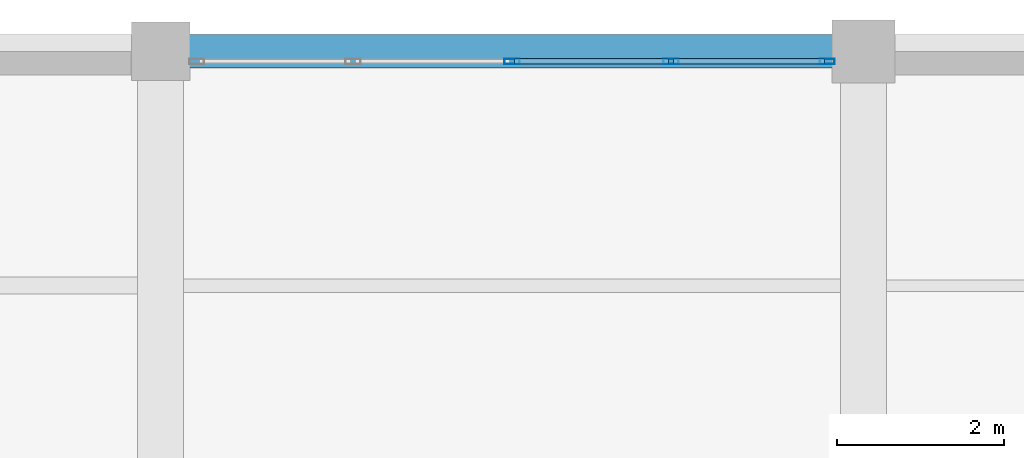
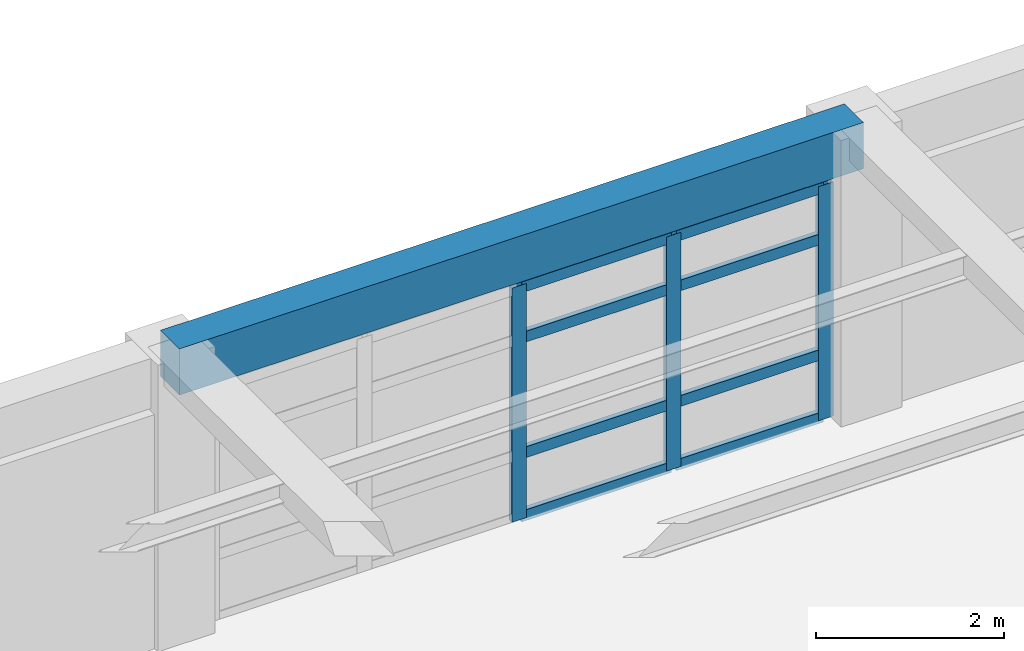
# One storey, part 22 of 31: 11 members, 1 beam, 1 element without a shape of its own.
"""IFC4 building model written with IfcOpenShell, lengths in metres."""

from ifc_helpers import new_model, si_unit, direction, frame, origin, origin_2d, place, context, subcontext, project, spatial, rectangle, hollow_rectangle, extrude, material, material_profile, profile_set, type_object, element, aggregate, save


model = new_model("IFC4")

# Units and contexts
model_context = context("Model", 3, precision=1e-05, world=origin(), true_north=direction((0.0, 1.0)))
body_context = subcontext(model_context, "Body", "Model", "MODEL_VIEW")
ifc_project = project(units=[si_unit("LENGTHUNIT", "METRE"), si_unit("AREAUNIT", "SQUARE_METRE"), si_unit("VOLUMEUNIT", "CUBIC_METRE"), si_unit("PLANEANGLEUNIT", "RADIAN"), si_unit("MASSUNIT", "GRAM", prefix="KILO")], contexts=[model_context])

# Site, building, storey
site_placement = place(None, origin())
site = spatial("IfcSite", under=ifc_project, at=site_placement, CompositionType="ELEMENT")
building_placement = place(site_placement, origin())
building = spatial("IfcBuilding", under=site, at=building_placement, Name="Almacenes y Pasaje Nevantli", CompositionType="ELEMENT")
storey_placement = place(building_placement, frame((0.0, 0.0, 34.699951171875)))
storey = spatial("IfcBuildingStorey", under=building, at=storey_placement, Name="L08", CompositionType="ELEMENT", Elevation=34.699951171875)

# Beam
ifc_material_1 = material(Name="Concrete C35/45", Category="concrete")
ifc_material_profile_1 = material_profile(ifc_material_1, rectangle(XDim=0.39990234375, YDim=0.60009765625, at=origin_2d()), Name="RC-BM-400x600")
ifc_profile_set_1 = profile_set([ifc_material_profile_1], Name="Concrete C35/45")
beam_type = type_object("IfcBeamType", Name="BM-RC-400x600", PredefinedType="SPANDREL", material=ifc_profile_set_1)
beam_placement = place(storey_placement, frame((126.0, 100.800048828125, 3.420166015625), z_axis=(1.0, 0.0, 0.0), x_axis=(0.0, 1.0, 0.0)))
element("IfcBeam", 1, at=beam_placement, inside=storey, type_object=beam_type, Name="L08 East-West Reinforced Concrete Beam #3711", PredefinedType="SPANDREL", context=body_context, shape_type="SweptSolid", body=[
    extrude(rectangle(XDim=0.39990234375, YDim=0.60009765625, at=origin_2d()), origin(), (0.0, 0.0, 1.0), 8.39990234375),
])

# Curtain wall, members
ifc_material_2 = material(Name="Thermally Broken Aluminium and Low-E Glass", Category="aluminium")
curtain_wall_type = type_object("IfcCurtainWallType", Name="CW-UNIT-TOWER", PredefinedType="USERDEFINED", material=ifc_material_2)
curtain_wall_placement = place(storey_placement, origin())
curtain_wall = element("IfcCurtainWall", 2, at=curtain_wall_placement, inside=storey, type_object=curtain_wall_type, Name="L08 Tower North Boulevard Unitized Curtain Wall Bay 16", ObjectType="UNITIZED CURTAIN WALL", PredefinedType="USERDEFINED")
ifc_material_3 = material(Name="Thermally Broken Anodized Aluminium", Category="aluminium")
ifc_material_profile_2 = material_profile(ifc_material_3, hollow_rectangle(XDim=0.06494140625, YDim=0.179931640625, WallThickness=0.00390625, at=origin_2d()), Name="ALU-MUL-65x180")
ifc_profile_set_2 = profile_set([ifc_material_profile_2], Name="Thermally Broken Anodized Aluminium")
member_type_1 = type_object("IfcMemberType", Name="CW-MUL-200", PredefinedType="MULLION", material=ifc_profile_set_2)
member_1_placement = place(storey_placement, frame((130.199951171875, 100.679931640625, 0.0), z_axis=(0.0, 0.0, 1.0), x_axis=(0.0, 1.0, 0.0)))
member_1 = element("IfcMember", 3, at=member_1_placement, type_object=member_type_1, Name="CW-L08-123 mullion 3", PredefinedType="MULLION", context=body_context, shape_type="SweptSolid", body=[
    extrude(hollow_rectangle(XDim=0.06494140625, YDim=0.179931640625, WallThickness=0.00390625, at=origin_2d()), origin(), (0.0, 0.0, 1.0), 3.0400390625),
])
member_2_placement = place(storey_placement, frame((132.10009765625, 100.679931640625, 0.0), z_axis=(0.0, 0.0, 1.0), x_axis=(0.0, 1.0, 0.0)))
member_2 = element("IfcMember", 4, at=member_2_placement, type_object=member_type_1, Name="CW-L08-123 mullion 4", PredefinedType="MULLION", context=body_context, shape_type="SweptSolid", body=[
    extrude(hollow_rectangle(XDim=0.06494140625, YDim=0.179931640625, WallThickness=0.00390625, at=origin_2d()), origin(), (0.0, 0.0, 1.0), 3.0400390625),
])
member_3_placement = place(storey_placement, frame((133.967529296875, 100.679931640625, 0.0), z_axis=(0.0, 0.0, 1.0), x_axis=(0.0, 1.0, 0.0)))
member_3 = element("IfcMember", 5, at=member_3_placement, type_object=member_type_1, Name="CW-L08-123 mullion 5", PredefinedType="MULLION", context=body_context, shape_type="SweptSolid", body=[
    extrude(hollow_rectangle(XDim=0.06494140625, YDim=0.179931640625, WallThickness=0.00390625, at=origin_2d()), origin(), (0.0, 0.0, 1.0), 3.0400390625),
])
ifc_material_4 = material(Name="Thermally Broken Anodized Aluminium", Category="aluminium")
ifc_material_profile_3 = material_profile(ifc_material_4, hollow_rectangle(XDim=0.06494140625, YDim=0.139892578125, WallThickness=0.00390625, at=origin_2d()), Name="ALU-TRN-65x140")
ifc_profile_set_3 = profile_set([ifc_material_profile_3], Name="Thermally Broken Anodized Aluminium")
member_type_2 = type_object("IfcMemberType", Name="CW-TRN-150", PredefinedType="USERDEFINED", material=ifc_profile_set_3)
member_4_placement = place(storey_placement, frame((130.232421875, 100.679931640625, 0.032470703125), z_axis=(1.0, 0.0, 0.0), x_axis=(0.0, 1.0, 0.0)))
member_4 = element("IfcMember", 6, at=member_4_placement, type_object=member_type_2, Name="CW-L08-123 transom 3.1", ObjectType="TRANSOM", PredefinedType="USERDEFINED", context=body_context, shape_type="SweptSolid", body=[
    extrude(hollow_rectangle(XDim=0.06494140625, YDim=0.139892578125, WallThickness=0.00390625, at=origin_2d()), origin(), (0.0, 0.0, 1.0), 1.8349609375),
])
member_5_placement = place(storey_placement, frame((130.232421875, 100.679931640625, 0.85009765625), z_axis=(1.0, 0.0, 0.0), x_axis=(0.0, 1.0, 0.0)))
member_5 = element("IfcMember", 7, at=member_5_placement, type_object=member_type_2, Name="CW-L08-123 transom 3.2", ObjectType="TRANSOM", PredefinedType="USERDEFINED", context=body_context, shape_type="SweptSolid", body=[
    extrude(hollow_rectangle(XDim=0.06494140625, YDim=0.139892578125, WallThickness=0.00390625, at=origin_2d()), origin(), (0.0, 0.0, 1.0), 1.8349609375),
])
member_6_placement = place(storey_placement, frame((130.232421875, 100.679931640625, 2.35009765625), z_axis=(1.0, 0.0, 0.0), x_axis=(0.0, 1.0, 0.0)))
member_6 = element("IfcMember", 8, at=member_6_placement, type_object=member_type_2, Name="CW-L08-123 transom 3.3", ObjectType="TRANSOM", PredefinedType="USERDEFINED", context=body_context, shape_type="SweptSolid", body=[
    extrude(hollow_rectangle(XDim=0.06494140625, YDim=0.139892578125, WallThickness=0.00390625, at=origin_2d()), origin(), (0.0, 0.0, 1.0), 1.8349609375),
])
member_7_placement = place(storey_placement, frame((130.232421875, 100.679931640625, 3.007568359375), z_axis=(1.0, 0.0, 0.0), x_axis=(0.0, 1.0, 0.0)))
member_7 = element("IfcMember", 9, at=member_7_placement, type_object=member_type_2, Name="CW-L08-123 transom 3.4", ObjectType="TRANSOM", PredefinedType="USERDEFINED", context=body_context, shape_type="SweptSolid", body=[
    extrude(hollow_rectangle(XDim=0.06494140625, YDim=0.139892578125, WallThickness=0.00390625, at=origin_2d()), origin(), (0.0, 0.0, 1.0), 1.8349609375),
])
member_8_placement = place(storey_placement, frame((132.132568359375, 100.679931640625, 0.032470703125), z_axis=(1.0, 0.0, 0.0), x_axis=(0.0, 1.0, 0.0)))
member_8 = element("IfcMember", 10, at=member_8_placement, type_object=member_type_2, Name="CW-L08-123 transom 4.1", ObjectType="TRANSOM", PredefinedType="USERDEFINED", context=body_context, shape_type="SweptSolid", body=[
    extrude(hollow_rectangle(XDim=0.06494140625, YDim=0.139892578125, WallThickness=0.00390625, at=origin_2d()), origin(), (0.0, 0.0, 1.0), 1.802490234375),
])
member_9_placement = place(storey_placement, frame((132.132568359375, 100.679931640625, 0.85009765625), z_axis=(1.0, 0.0, 0.0), x_axis=(0.0, 1.0, 0.0)))
member_9 = element("IfcMember", 11, at=member_9_placement, type_object=member_type_2, Name="CW-L08-123 transom 4.2", ObjectType="TRANSOM", PredefinedType="USERDEFINED", context=body_context, shape_type="SweptSolid", body=[
    extrude(hollow_rectangle(XDim=0.06494140625, YDim=0.139892578125, WallThickness=0.00390625, at=origin_2d()), origin(), (0.0, 0.0, 1.0), 1.802490234375),
])
member_10_placement = place(storey_placement, frame((132.132568359375, 100.679931640625, 2.35009765625), z_axis=(1.0, 0.0, 0.0), x_axis=(0.0, 1.0, 0.0)))
member_10 = element("IfcMember", 12, at=member_10_placement, type_object=member_type_2, Name="CW-L08-123 transom 4.3", ObjectType="TRANSOM", PredefinedType="USERDEFINED", context=body_context, shape_type="SweptSolid", body=[
    extrude(hollow_rectangle(XDim=0.06494140625, YDim=0.139892578125, WallThickness=0.00390625, at=origin_2d()), origin(), (0.0, 0.0, 1.0), 1.802490234375),
])
member_11_placement = place(storey_placement, frame((132.132568359375, 100.679931640625, 3.007568359375), z_axis=(1.0, 0.0, 0.0), x_axis=(0.0, 1.0, 0.0)))
member_11 = element("IfcMember", 13, at=member_11_placement, type_object=member_type_2, Name="CW-L08-123 transom 4.4", ObjectType="TRANSOM", PredefinedType="USERDEFINED", context=body_context, shape_type="SweptSolid", body=[
    extrude(hollow_rectangle(XDim=0.06494140625, YDim=0.139892578125, WallThickness=0.00390625, at=origin_2d()), origin(), (0.0, 0.0, 1.0), 1.802490234375),
])
aggregate(curtain_wall, [member_1, member_2, member_3, member_4, member_5, member_6, member_7, member_8, member_9, member_10, member_11])

save(model, "model.ifc")
